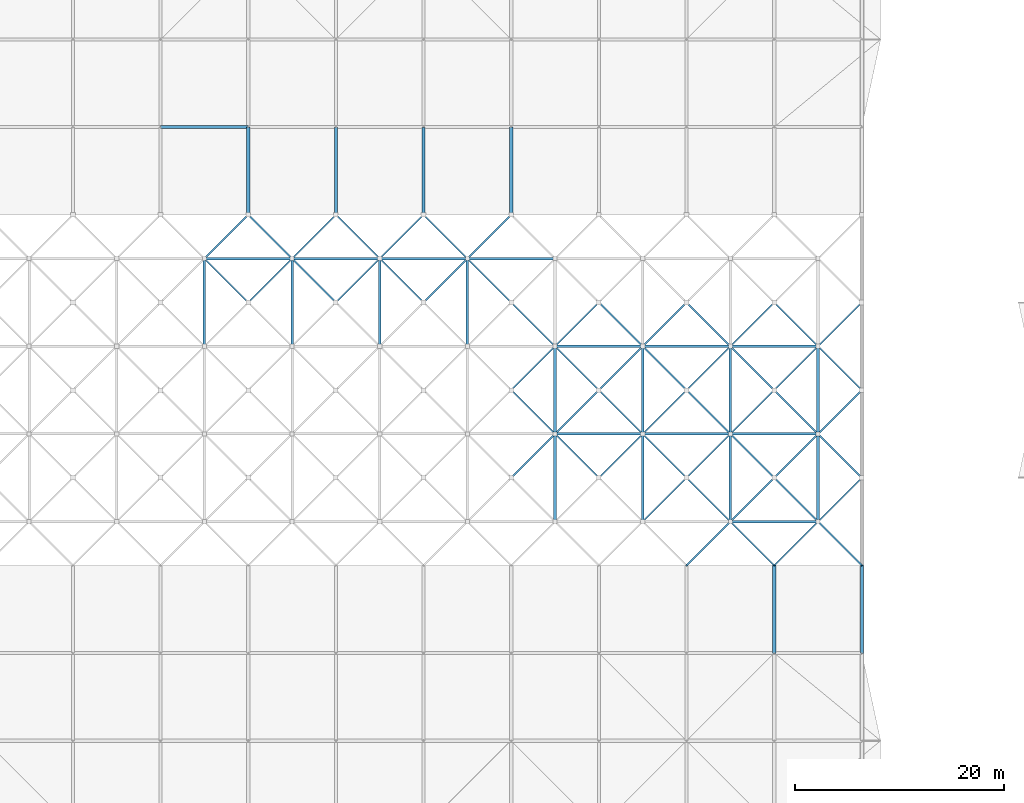
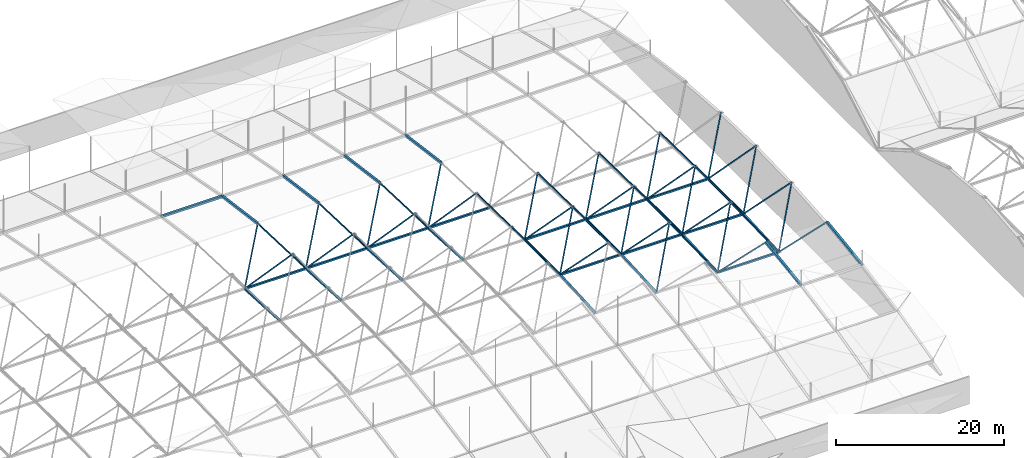
# One storey, part 8 of 111: 85 members.
"""IFC4 building model written with IfcOpenShell, lengths in metres."""

from ifc_helpers import new_model, si_unit, direction, frame, origin, origin_2d, place, context, subcontext, project, spatial, hollow_rectangle, extrude, material, material_profile, profile_set, type_object, element, save


model = new_model("IFC4")

# Units and contexts
model_context = context("Model", 3, precision=1e-05, world=origin(), true_north=direction((0.0, 1.0)))
body_context = subcontext(model_context, "Body", "Model", "MODEL_VIEW")
ifc_project = project(units=[si_unit("LENGTHUNIT", "METRE"), si_unit("AREAUNIT", "SQUARE_METRE"), si_unit("VOLUMEUNIT", "CUBIC_METRE"), si_unit("PLANEANGLEUNIT", "RADIAN"), si_unit("MASSUNIT", "GRAM", prefix="KILO")], contexts=[model_context])

# Site, building, storey
site_placement = place(None, origin())
site = spatial("IfcSite", under=ifc_project, at=site_placement, CompositionType="ELEMENT")
building_placement = place(site_placement, origin())
building = spatial("IfcBuilding", under=site, at=building_placement, Name="Rain Tree Exposition and Congress Centre", CompositionType="ELEMENT")
storey_placement = place(building_placement, frame((0.0, 0.0, 19.5)))
storey = spatial("IfcBuildingStorey", under=building, at=storey_placement, Name="RF", CompositionType="ELEMENT", Elevation=19.5)

# Members
ifc_material_1 = material(Name="Steel S355J2H", Category="steel")
ifc_material_profile_1 = material_profile(ifc_material_1, hollow_rectangle(XDim=0.14990234375, YDim=0.14990234375, WallThickness=0.00439453125, at=origin_2d()), Name="RHS 150x150x4.5")
ifc_profile_set_1 = profile_set([ifc_material_profile_1], Name="Steel S355J2H")
member_type_1 = type_object("IfcMemberType", Name="Steel brace member RHS 150x150x4.5", PredefinedType="BRACE", material=ifc_profile_set_1)
member_1_placement = place(storey_placement, frame((105.0, 138.60009765625, 0.38818359375), z_axis=(0.491865231884, 0.491865231884, 0.718426883773), x_axis=(-0.707106781187, 0.707106781187, 0.0)))
element("IfcMember", 1, at=member_1_placement, inside=storey, type_object=member_type_1, Name="Diagonal 764", PredefinedType="BRACE", context=body_context, shape_type="SweptSolid", body=[
    extrude(hollow_rectangle(XDim=0.14990234375, YDim=0.14990234375, WallThickness=0.00439453125, at=origin_2d()), origin(), (0.0, 0.0, 1.0), 8.538818359375),
])
member_2_placement = place(storey_placement, frame((113.39990234375, 138.60009765625, 0.38818359375), z_axis=(-0.520964500452, -0.520994783804, 0.676136394907), x_axis=(0.707127332136, -0.70708622964, 0.0)))
element("IfcMember", 2, at=member_2_placement, inside=storey, type_object=member_type_1, Name="Diagonal 767", PredefinedType="BRACE", context=body_context, shape_type="SweptSolid", body=[
    extrude(hollow_rectangle(XDim=0.14990234375, YDim=0.14990234375, WallThickness=0.00439453125, at=origin_2d()), origin(), (0.0, 0.0, 1.0), 8.061767578125),
])
member_3_placement = place(storey_placement, frame((113.39990234375, 138.60009765625, 0.38818359375), z_axis=(0.520986564258, -0.520986564258, 0.676125727749), x_axis=(0.707106781187, 0.707106781187, 0.0)))
element("IfcMember", 3, at=member_3_placement, inside=storey, type_object=member_type_1, Name="Diagonal 768", PredefinedType="BRACE", context=body_context, shape_type="SweptSolid", body=[
    extrude(hollow_rectangle(XDim=0.14990234375, YDim=0.14990234375, WallThickness=0.00439453125, at=origin_2d()), origin(), (0.0, 0.0, 1.0), 8.06201171875),
])
member_4_placement = place(storey_placement, frame((113.39990234375, 138.60009765625, 0.38818359375), z_axis=(-0.491865231884, 0.491865231884, 0.718426883773), x_axis=(-0.707106781187, -0.707106781187, 0.0)))
element("IfcMember", 4, at=member_4_placement, inside=storey, type_object=member_type_1, Name="Diagonal 769", PredefinedType="BRACE", context=body_context, shape_type="SweptSolid", body=[
    extrude(hollow_rectangle(XDim=0.14990234375, YDim=0.14990234375, WallThickness=0.00439453125, at=origin_2d()), origin(), (0.0, 0.0, 1.0), 8.538818359375),
])
member_5_placement = place(storey_placement, frame((113.39990234375, 138.60009765625, 0.38818359375), z_axis=(0.491886905994, 0.491858314567, 0.718416780221), x_axis=(-0.70708622964, 0.707127332136, 0.0)))
element("IfcMember", 5, at=member_5_placement, inside=storey, type_object=member_type_1, Name="Diagonal 770", PredefinedType="BRACE", context=body_context, shape_type="SweptSolid", body=[
    extrude(hollow_rectangle(XDim=0.14990234375, YDim=0.14990234375, WallThickness=0.00439453125, at=origin_2d()), origin(), (0.0, 0.0, 1.0), 8.5390625),
])
for number, where, z_axis, x_axis, name in (
    (6, (121.800048828125, 138.60009765625, 0.38818359375), (-0.520964500452, -0.520994783804, 0.676136394907), (0.707127332136, -0.70708622964, 0.0), "Diagonal 773"),
    (7, (121.800048828125, 138.60009765625, 0.38818359375), (0.520964500452, -0.520994783804, 0.676136394907), (0.707127332136, 0.70708622964, 0.0), "Diagonal 774"),
):
    element("IfcMember", number, at=place(storey_placement, frame(where, z_axis=z_axis, x_axis=x_axis)), inside=storey, type_object=member_type_1, Name=name, PredefinedType="BRACE", context=body_context, shape_type="SweptSolid", body=[
        extrude(hollow_rectangle(XDim=0.14990234375, YDim=0.14990234375, WallThickness=0.00439453125, at=origin_2d()), origin(), (0.0, 0.0, 1.0), 8.061767578125),
    ])
for number, where, z_axis, x_axis, name in (
    (8, (121.800048828125, 138.60009765625, 0.38818359375), (-0.491865231884, 0.491865231884, 0.718426883773), (-0.707106781187, -0.707106781187, 0.0), "Diagonal 775"),
    (9, (121.800048828125, 138.60009765625, 0.38818359375), (0.491865231884, 0.491865231884, 0.718426883773), (-0.707106781187, 0.707106781187, 0.0), "Diagonal 776"),
):
    element("IfcMember", number, at=place(storey_placement, frame(where, z_axis=z_axis, x_axis=x_axis)), inside=storey, type_object=member_type_1, Name=name, PredefinedType="BRACE", context=body_context, shape_type="SweptSolid", body=[
        extrude(hollow_rectangle(XDim=0.14990234375, YDim=0.14990234375, WallThickness=0.00439453125, at=origin_2d()), origin(), (0.0, 0.0, 1.0), 8.538818359375),
    ])
for number, where, z_axis, x_axis, name in (
    (10, (96.60009765625, 147.0, 0.84326171875), (-0.511090272234, -0.511060564592, 0.691088874854), (0.70708622964, -0.707127332136, 0.0), "Diagonal 838"),
    (11, (96.60009765625, 147.0, 0.84326171875), (0.511068324122, -0.511068324122, 0.691099367788), (0.707106781187, 0.707106781187, 0.0), "Diagonal 839"),
):
    element("IfcMember", number, at=place(storey_placement, frame(where, z_axis=z_axis, x_axis=x_axis)), inside=storey, type_object=member_type_1, Name=name, PredefinedType="BRACE", context=body_context, shape_type="SweptSolid", body=[
        extrude(hollow_rectangle(XDim=0.14990234375, YDim=0.14990234375, WallThickness=0.00439453125, at=origin_2d()), origin(), (0.0, 0.0, 1.0), 8.218017578125),
    ])
for number, where, z_axis, x_axis, name in (
    (12, (96.60009765625, 147.0, 0.84326171875), (-0.50140805933, 0.501378914477, 0.70513058518), (-0.70708622964, -0.707127332136, 0.0), "Diagonal 840"),
    (13, (96.60009765625, 147.0, 0.84326171875), (0.501386241307, 0.501386241307, 0.705140889507), (-0.707106781187, 0.707106781187, 0.0), "Diagonal 841"),
):
    element("IfcMember", number, at=place(storey_placement, frame(where, z_axis=z_axis, x_axis=x_axis)), inside=storey, type_object=member_type_1, Name=name, PredefinedType="BRACE", context=body_context, shape_type="SweptSolid", body=[
        extrude(hollow_rectangle(XDim=0.14990234375, YDim=0.14990234375, WallThickness=0.00439453125, at=origin_2d()), origin(), (0.0, 0.0, 1.0), 8.376708984375),
    ])
for number, where, z_axis, x_axis, name in (
    (14, (105.0, 147.0, 0.84326171875), (-0.511068324122, -0.511068324122, 0.691099367788), (0.707106781187, -0.707106781187, 0.0), "Diagonal 844"),
    (15, (105.0, 147.0, 0.84326171875), (0.511068324122, -0.511068324122, 0.691099367788), (0.707106781187, 0.707106781187, 0.0), "Diagonal 845"),
):
    element("IfcMember", number, at=place(storey_placement, frame(where, z_axis=z_axis, x_axis=x_axis)), inside=storey, type_object=member_type_1, Name=name, PredefinedType="BRACE", context=body_context, shape_type="SweptSolid", body=[
        extrude(hollow_rectangle(XDim=0.14990234375, YDim=0.14990234375, WallThickness=0.00439453125, at=origin_2d()), origin(), (0.0, 0.0, 1.0), 8.218017578125),
    ])
for number, where, z_axis, x_axis, name in (
    (16, (105.0, 147.0, 0.84326171875), (-0.501386241307, 0.501386241307, 0.705140889507), (-0.707106781187, -0.707106781187, 0.0), "Diagonal 846"),
    (17, (105.0, 147.0, 0.84326171875), (0.501386241307, 0.501386241307, 0.705140889507), (-0.707106781187, 0.707106781187, 0.0), "Diagonal 847"),
):
    element("IfcMember", number, at=place(storey_placement, frame(where, z_axis=z_axis, x_axis=x_axis)), inside=storey, type_object=member_type_1, Name=name, PredefinedType="BRACE", context=body_context, shape_type="SweptSolid", body=[
        extrude(hollow_rectangle(XDim=0.14990234375, YDim=0.14990234375, WallThickness=0.00439453125, at=origin_2d()), origin(), (0.0, 0.0, 1.0), 8.376708984375),
    ])
for number, where, z_axis, x_axis, name in (
    (18, (113.39990234375, 147.0, 0.84326171875), (-0.511068324122, -0.511068324122, 0.691099367788), (0.707106781187, -0.707106781187, 0.0), "Diagonal 850"),
    (19, (113.39990234375, 147.0, 0.84326171875), (0.511090272234, -0.511060564592, 0.691088874854), (0.70708622964, 0.707127332136, 0.0), "Diagonal 851"),
):
    element("IfcMember", number, at=place(storey_placement, frame(where, z_axis=z_axis, x_axis=x_axis)), inside=storey, type_object=member_type_1, Name=name, PredefinedType="BRACE", context=body_context, shape_type="SweptSolid", body=[
        extrude(hollow_rectangle(XDim=0.14990234375, YDim=0.14990234375, WallThickness=0.00439453125, at=origin_2d()), origin(), (0.0, 0.0, 1.0), 8.218017578125),
    ])
for number, where, z_axis, x_axis, name in (
    (20, (113.39990234375, 147.0, 0.84326171875), (-0.501386241307, 0.501386241307, 0.705140889507), (-0.707106781187, -0.707106781187, 0.0), "Diagonal 852"),
    (21, (113.39990234375, 147.0, 0.84326171875), (0.50140805933, 0.501378914477, 0.70513058518), (-0.70708622964, 0.707127332136, 0.0), "Diagonal 853"),
):
    element("IfcMember", number, at=place(storey_placement, frame(where, z_axis=z_axis, x_axis=x_axis)), inside=storey, type_object=member_type_1, Name=name, PredefinedType="BRACE", context=body_context, shape_type="SweptSolid", body=[
        extrude(hollow_rectangle(XDim=0.14990234375, YDim=0.14990234375, WallThickness=0.00439453125, at=origin_2d()), origin(), (0.0, 0.0, 1.0), 8.376708984375),
    ])
for number, where, z_axis, x_axis, name in (
    (22, (121.800048828125, 147.0, 0.84326171875), (-0.511068324122, -0.511068324122, 0.691099367788), (0.707106781187, -0.707106781187, 0.0), "Diagonal 856"),
    (23, (121.800048828125, 147.0, 0.84326171875), (0.511068324122, -0.511068324122, 0.691099367788), (0.707106781187, 0.707106781187, 0.0), "Diagonal 857"),
):
    element("IfcMember", number, at=place(storey_placement, frame(where, z_axis=z_axis, x_axis=x_axis)), inside=storey, type_object=member_type_1, Name=name, PredefinedType="BRACE", context=body_context, shape_type="SweptSolid", body=[
        extrude(hollow_rectangle(XDim=0.14990234375, YDim=0.14990234375, WallThickness=0.00439453125, at=origin_2d()), origin(), (0.0, 0.0, 1.0), 8.218017578125),
    ])
for number, where, z_axis, x_axis, name in (
    (24, (121.800048828125, 147.0, 0.84326171875), (-0.501386241307, 0.501386241307, 0.705140889507), (-0.707106781187, -0.707106781187, 0.0), "Diagonal 858"),
    (25, (121.800048828125, 147.0, 0.84326171875), (0.501386241307, 0.501386241307, 0.705140889507), (-0.707106781187, 0.707106781187, 0.0), "Diagonal 859"),
    (26, (96.60009765625, 155.39990234375, 0.84326171875), (-0.50140805933, -0.501378914477, 0.70513058518), (0.70708622964, -0.707127332136, 0.0), "Diagonal 921"),
    (27, (96.60009765625, 155.39990234375, 0.84326171875), (0.501386241307, -0.501386241307, 0.705140889507), (0.707106781187, 0.707106781187, 0.0), "Diagonal 922"),
):
    element("IfcMember", number, at=place(storey_placement, frame(where, z_axis=z_axis, x_axis=x_axis)), inside=storey, type_object=member_type_1, Name=name, PredefinedType="BRACE", context=body_context, shape_type="SweptSolid", body=[
        extrude(hollow_rectangle(XDim=0.14990234375, YDim=0.14990234375, WallThickness=0.00439453125, at=origin_2d()), origin(), (0.0, 0.0, 1.0), 8.376708984375),
    ])
member_6_placement = place(storey_placement, frame((96.60009765625, 155.39990234375, 0.84326171875), z_axis=(-0.511082512606, 0.511082512606, 0.691078382397), x_axis=(-0.707106781187, -0.707106781187, 0.0)))
element("IfcMember", 28, at=member_6_placement, inside=storey, type_object=member_type_1, Name="Diagonal 923", PredefinedType="BRACE", context=body_context, shape_type="SweptSolid", body=[
    extrude(hollow_rectangle(XDim=0.14990234375, YDim=0.14990234375, WallThickness=0.00439453125, at=origin_2d()), origin(), (0.0, 0.0, 1.0), 8.21826171875),
])
member_7_placement = place(storey_placement, frame((96.60009765625, 155.39990234375, 0.84326171875), z_axis=(0.511060564592, 0.511090272234, 0.691088874854), x_axis=(-0.707127332136, 0.70708622964, 0.0)))
element("IfcMember", 29, at=member_7_placement, inside=storey, type_object=member_type_1, Name="Diagonal 924", PredefinedType="BRACE", context=body_context, shape_type="SweptSolid", body=[
    extrude(hollow_rectangle(XDim=0.14990234375, YDim=0.14990234375, WallThickness=0.00439453125, at=origin_2d()), origin(), (0.0, 0.0, 1.0), 8.218017578125),
])
for number, where, z_axis, x_axis, name in (
    (30, (105.0, 155.39990234375, 0.84326171875), (-0.501386241307, -0.501386241307, 0.705140889507), (0.707106781187, -0.707106781187, 0.0), "Diagonal 927"),
    (31, (105.0, 155.39990234375, 0.84326171875), (0.501386241307, -0.501386241307, 0.705140889507), (0.707106781187, 0.707106781187, 0.0), "Diagonal 928"),
):
    element("IfcMember", number, at=place(storey_placement, frame(where, z_axis=z_axis, x_axis=x_axis)), inside=storey, type_object=member_type_1, Name=name, PredefinedType="BRACE", context=body_context, shape_type="SweptSolid", body=[
        extrude(hollow_rectangle(XDim=0.14990234375, YDim=0.14990234375, WallThickness=0.00439453125, at=origin_2d()), origin(), (0.0, 0.0, 1.0), 8.376708984375),
    ])
for number, where, z_axis, x_axis, name in (
    (32, (105.0, 155.39990234375, 0.84326171875), (-0.511060564592, 0.511090272234, 0.691088874854), (-0.707127332136, -0.70708622964, 0.0), "Diagonal 929"),
    (33, (105.0, 155.39990234375, 0.84326171875), (0.511060564592, 0.511090272234, 0.691088874854), (-0.707127332136, 0.70708622964, 0.0), "Diagonal 930"),
):
    element("IfcMember", number, at=place(storey_placement, frame(where, z_axis=z_axis, x_axis=x_axis)), inside=storey, type_object=member_type_1, Name=name, PredefinedType="BRACE", context=body_context, shape_type="SweptSolid", body=[
        extrude(hollow_rectangle(XDim=0.14990234375, YDim=0.14990234375, WallThickness=0.00439453125, at=origin_2d()), origin(), (0.0, 0.0, 1.0), 8.218017578125),
    ])
for number, where, z_axis, x_axis, name in (
    (34, (113.39990234375, 155.39990234375, 0.84326171875), (-0.501386241307, -0.501386241307, 0.705140889507), (0.707106781187, -0.707106781187, 0.0), "Diagonal 933"),
    (35, (113.39990234375, 155.39990234375, 0.84326171875), (0.50140805933, -0.501378914477, 0.70513058518), (0.70708622964, 0.707127332136, 0.0), "Diagonal 934"),
):
    element("IfcMember", number, at=place(storey_placement, frame(where, z_axis=z_axis, x_axis=x_axis)), inside=storey, type_object=member_type_1, Name=name, PredefinedType="BRACE", context=body_context, shape_type="SweptSolid", body=[
        extrude(hollow_rectangle(XDim=0.14990234375, YDim=0.14990234375, WallThickness=0.00439453125, at=origin_2d()), origin(), (0.0, 0.0, 1.0), 8.376708984375),
    ])
member_8_placement = place(storey_placement, frame((113.39990234375, 155.39990234375, 0.84326171875), z_axis=(-0.511060564592, 0.511090272234, 0.691088874854), x_axis=(-0.707127332136, -0.70708622964, 0.0)))
element("IfcMember", 36, at=member_8_placement, inside=storey, type_object=member_type_1, Name="Diagonal 935", PredefinedType="BRACE", context=body_context, shape_type="SweptSolid", body=[
    extrude(hollow_rectangle(XDim=0.14990234375, YDim=0.14990234375, WallThickness=0.00439453125, at=origin_2d()), origin(), (0.0, 0.0, 1.0), 8.218017578125),
])
member_9_placement = place(storey_placement, frame((113.39990234375, 155.39990234375, 0.84326171875), z_axis=(0.511082512606, 0.511082512606, 0.691078382397), x_axis=(-0.707106781187, 0.707106781187, 0.0)))
element("IfcMember", 37, at=member_9_placement, inside=storey, type_object=member_type_1, Name="Diagonal 936", PredefinedType="BRACE", context=body_context, shape_type="SweptSolid", body=[
    extrude(hollow_rectangle(XDim=0.14990234375, YDim=0.14990234375, WallThickness=0.00439453125, at=origin_2d()), origin(), (0.0, 0.0, 1.0), 8.21826171875),
])
for number, where, z_axis, x_axis, name in (
    (38, (121.800048828125, 155.39990234375, 0.84326171875), (-0.501386241307, -0.501386241307, 0.705140889507), (0.707106781187, -0.707106781187, 0.0), "Diagonal 939"),
    (39, (121.800048828125, 155.39990234375, 0.84326171875), (0.501386241307, -0.501386241307, 0.705140889507), (0.707106781187, 0.707106781187, 0.0), "Diagonal 940"),
):
    element("IfcMember", number, at=place(storey_placement, frame(where, z_axis=z_axis, x_axis=x_axis)), inside=storey, type_object=member_type_1, Name=name, PredefinedType="BRACE", context=body_context, shape_type="SweptSolid", body=[
        extrude(hollow_rectangle(XDim=0.14990234375, YDim=0.14990234375, WallThickness=0.00439453125, at=origin_2d()), origin(), (0.0, 0.0, 1.0), 8.376708984375),
    ])
for number, where, z_axis, x_axis, name in (
    (40, (121.800048828125, 155.39990234375, 0.84326171875), (-0.511060564592, 0.511090272234, 0.691088874854), (-0.707127332136, -0.70708622964, 0.0), "Diagonal 941"),
    (41, (121.800048828125, 155.39990234375, 0.84326171875), (0.511060564592, 0.511090272234, 0.691088874854), (-0.707127332136, 0.70708622964, 0.0), "Diagonal 942"),
):
    element("IfcMember", number, at=place(storey_placement, frame(where, z_axis=z_axis, x_axis=x_axis)), inside=storey, type_object=member_type_1, Name=name, PredefinedType="BRACE", context=body_context, shape_type="SweptSolid", body=[
        extrude(hollow_rectangle(XDim=0.14990234375, YDim=0.14990234375, WallThickness=0.00439453125, at=origin_2d()), origin(), (0.0, 0.0, 1.0), 8.218017578125),
    ])
member_10_placement = place(storey_placement, frame((63.0, 163.800048828125, 0.38818359375), z_axis=(0.491865231884, -0.491865231884, 0.718426883773), x_axis=(0.707106781187, 0.707106781187, 0.0)))
element("IfcMember", 42, at=member_10_placement, inside=storey, type_object=member_type_1, Name="Diagonal 981", PredefinedType="BRACE", context=body_context, shape_type="SweptSolid", body=[
    extrude(hollow_rectangle(XDim=0.14990234375, YDim=0.14990234375, WallThickness=0.00439453125, at=origin_2d()), origin(), (0.0, 0.0, 1.0), 8.538818359375),
])
member_11_placement = place(storey_placement, frame((63.0, 163.800048828125, 0.38818359375), z_axis=(0.520972719908, 0.520972719908, 0.67614706257), x_axis=(-0.707106781187, 0.707106781187, 0.0)))
element("IfcMember", 43, at=member_11_placement, inside=storey, type_object=member_type_1, Name="Diagonal 983", PredefinedType="BRACE", context=body_context, shape_type="SweptSolid", body=[
    extrude(hollow_rectangle(XDim=0.14990234375, YDim=0.14990234375, WallThickness=0.00439453125, at=origin_2d()), origin(), (0.0, 0.0, 1.0), 8.061767578125),
])
member_12_placement = place(storey_placement, frame((71.39990234375, 163.800048828125, 0.38818359375), z_axis=(-0.491865231884, -0.491865231884, 0.718426883773), x_axis=(0.707106781187, -0.707106781187, 0.0)))
element("IfcMember", 44, at=member_12_placement, inside=storey, type_object=member_type_1, Name="Diagonal 986", PredefinedType="BRACE", context=body_context, shape_type="SweptSolid", body=[
    extrude(hollow_rectangle(XDim=0.14990234375, YDim=0.14990234375, WallThickness=0.00439453125, at=origin_2d()), origin(), (0.0, 0.0, 1.0), 8.538818359375),
])
member_13_placement = place(storey_placement, frame((71.39990234375, 163.800048828125, 0.38818359375), z_axis=(0.491886905994, -0.491858314567, 0.718416780221), x_axis=(0.70708622964, 0.707127332136, 0.0)))
element("IfcMember", 45, at=member_13_placement, inside=storey, type_object=member_type_1, Name="Diagonal 987", PredefinedType="BRACE", context=body_context, shape_type="SweptSolid", body=[
    extrude(hollow_rectangle(XDim=0.14990234375, YDim=0.14990234375, WallThickness=0.00439453125, at=origin_2d()), origin(), (0.0, 0.0, 1.0), 8.5390625),
])
for number, where, z_axis, x_axis, name in (
    (46, (71.39990234375, 163.800048828125, 0.38818359375), (-0.520972719908, 0.520972719908, 0.67614706257), (-0.707106781187, -0.707106781187, 0.0), "Diagonal 988"),
    (47, (71.39990234375, 163.800048828125, 0.38818359375), (0.520994783804, 0.520964500452, 0.676136394907), (-0.70708622964, 0.707127332136, 0.0), "Diagonal 989"),
):
    element("IfcMember", number, at=place(storey_placement, frame(where, z_axis=z_axis, x_axis=x_axis)), inside=storey, type_object=member_type_1, Name=name, PredefinedType="BRACE", context=body_context, shape_type="SweptSolid", body=[
        extrude(hollow_rectangle(XDim=0.14990234375, YDim=0.14990234375, WallThickness=0.00439453125, at=origin_2d()), origin(), (0.0, 0.0, 1.0), 8.061767578125),
    ])
for number, where, z_axis, x_axis, name in (
    (48, (79.800048828125, 163.800048828125, 0.38818359375), (-0.491865231884, -0.491865231884, 0.718426883773), (0.707106781187, -0.707106781187, 0.0), "Diagonal 992"),
    (49, (79.800048828125, 163.800048828125, 0.38818359375), (0.491865231884, -0.491865231884, 0.718426883773), (0.707106781187, 0.707106781187, 0.0), "Diagonal 993"),
):
    element("IfcMember", number, at=place(storey_placement, frame(where, z_axis=z_axis, x_axis=x_axis)), inside=storey, type_object=member_type_1, Name=name, PredefinedType="BRACE", context=body_context, shape_type="SweptSolid", body=[
        extrude(hollow_rectangle(XDim=0.14990234375, YDim=0.14990234375, WallThickness=0.00439453125, at=origin_2d()), origin(), (0.0, 0.0, 1.0), 8.538818359375),
    ])
for number, where, z_axis, x_axis, name in (
    (50, (79.800048828125, 163.800048828125, 0.38818359375), (-0.520972719908, 0.520972719908, 0.67614706257), (-0.707106781187, -0.707106781187, 0.0), "Diagonal 994"),
    (51, (79.800048828125, 163.800048828125, 0.38818359375), (0.520972719908, 0.520972719908, 0.67614706257), (-0.707106781187, 0.707106781187, 0.0), "Diagonal 995"),
):
    element("IfcMember", number, at=place(storey_placement, frame(where, z_axis=z_axis, x_axis=x_axis)), inside=storey, type_object=member_type_1, Name=name, PredefinedType="BRACE", context=body_context, shape_type="SweptSolid", body=[
        extrude(hollow_rectangle(XDim=0.14990234375, YDim=0.14990234375, WallThickness=0.00439453125, at=origin_2d()), origin(), (0.0, 0.0, 1.0), 8.061767578125),
    ])
for number, where, z_axis, x_axis, name in (
    (52, (88.199951171875, 163.800048828125, 0.38818359375), (-0.491865231884, -0.491865231884, 0.718426883773), (0.707106781187, -0.707106781187, 0.0), "Diagonal 998"),
    (53, (88.199951171875, 163.800048828125, 0.38818359375), (0.491865231884, -0.491865231884, 0.718426883773), (0.707106781187, 0.707106781187, 0.0), "Diagonal 999"),
):
    element("IfcMember", number, at=place(storey_placement, frame(where, z_axis=z_axis, x_axis=x_axis)), inside=storey, type_object=member_type_1, Name=name, PredefinedType="BRACE", context=body_context, shape_type="SweptSolid", body=[
        extrude(hollow_rectangle(XDim=0.14990234375, YDim=0.14990234375, WallThickness=0.00439453125, at=origin_2d()), origin(), (0.0, 0.0, 1.0), 8.538818359375),
    ])
for number, where, z_axis, x_axis, name in (
    (54, (88.199951171875, 163.800048828125, 0.38818359375), (-0.520972719908, 0.520972719908, 0.67614706257), (-0.707106781187, -0.707106781187, 0.0), "Diagonal 1000"),
    (55, (88.199951171875, 163.800048828125, 0.38818359375), (0.520972719908, 0.520972719908, 0.67614706257), (-0.707106781187, 0.707106781187, 0.0), "Diagonal 1001"),
):
    element("IfcMember", number, at=place(storey_placement, frame(where, z_axis=z_axis, x_axis=x_axis)), inside=storey, type_object=member_type_1, Name=name, PredefinedType="BRACE", context=body_context, shape_type="SweptSolid", body=[
        extrude(hollow_rectangle(XDim=0.14990234375, YDim=0.14990234375, WallThickness=0.00439453125, at=origin_2d()), origin(), (0.0, 0.0, 1.0), 8.061767578125),
    ])
ifc_material_2 = material(Name="Steel S355J2H", Category="steel")
ifc_material_profile_2 = material_profile(ifc_material_2, hollow_rectangle(XDim=0.25, YDim=0.25, WallThickness=0.006103515625, at=origin_2d()), Name="RHS 250x250x6")
ifc_profile_set_2 = profile_set([ifc_material_profile_2], Name="Steel S355J2H")
member_type_2 = type_object("IfcMemberType", Name="Steel chord member RHS 250x250x6", PredefinedType="CHORD", material=ifc_profile_set_2)
for number, where, z_axis, x_axis, name in (
    (56, (96.60009765625, 138.60009765625, 0.38818359375), (0.0, 0.998535670844, 0.054097264734), (-1.0, 0.0, 0.0), "Bottom chord 760"),
    (57, (105.0, 138.60009765625, 0.38818359375), (0.0, 0.998535670844, 0.054097264734), (-1.0, 0.0, 0.0), "Bottom chord 766"),
):
    element("IfcMember", number, at=place(storey_placement, frame(where, z_axis=z_axis, x_axis=x_axis)), inside=storey, type_object=member_type_2, Name=name, PredefinedType="CHORD", context=body_context, shape_type="SweptSolid", body=[
        extrude(hollow_rectangle(XDim=0.25, YDim=0.25, WallThickness=0.006103515625, at=origin_2d()), origin(), (0.0, 0.0, 1.0), 8.412109375),
    ])
member_14_placement = place(storey_placement, frame((113.39990234375, 138.60009765625, 0.38818359375), z_axis=(1.0, 0.0, 0.0), x_axis=(0.0, 1.0, 0.0)))
element("IfcMember", 58, at=member_14_placement, inside=storey, type_object=member_type_2, Name="Bottom chord 771", PredefinedType="CHORD", context=body_context, shape_type="SweptSolid", body=[
    extrude(hollow_rectangle(XDim=0.25, YDim=0.25, WallThickness=0.006103515625, at=origin_2d()), origin(), (0.0, 0.0, 1.0), 8.400146484375),
])
for number, where, z_axis, x_axis, name in (
    (59, (113.39990234375, 138.60009765625, 0.38818359375), (0.0, 0.998535670844, 0.054097264734), (-1.0, 0.0, 0.0), "Bottom chord 772"),
    (60, (121.800048828125, 138.60009765625, 0.38818359375), (0.0, 0.998535670844, 0.054097264734), (-1.0, 0.0, 0.0), "Bottom chord 777"),
):
    element("IfcMember", number, at=place(storey_placement, frame(where, z_axis=z_axis, x_axis=x_axis)), inside=storey, type_object=member_type_2, Name=name, PredefinedType="CHORD", context=body_context, shape_type="SweptSolid", body=[
        extrude(hollow_rectangle(XDim=0.25, YDim=0.25, WallThickness=0.006103515625, at=origin_2d()), origin(), (0.0, 0.0, 1.0), 8.412109375),
    ])
for number, where, z_axis, x_axis, name in (
    (61, (96.60009765625, 147.0, 0.84326171875), (1.0, 0.0, 0.0), (0.0, 1.0, 0.0), "Bottom chord 842"),
    (62, (96.60009765625, 147.0, 0.84326171875), (0.0, 1.0, 0.0), (-1.0, 0.0, 0.0), "Bottom chord 843"),
    (63, (105.0, 147.0, 0.84326171875), (1.0, 0.0, 0.0), (0.0, 1.0, 0.0), "Bottom chord 848"),
    (64, (105.0, 147.0, 0.84326171875), (0.0, 1.0, 0.0), (-1.0, 0.0, 0.0), "Bottom chord 849"),
):
    element("IfcMember", number, at=place(storey_placement, frame(where, z_axis=z_axis, x_axis=x_axis)), inside=storey, type_object=member_type_2, Name=name, PredefinedType="CHORD", context=body_context, shape_type="SweptSolid", body=[
        extrude(hollow_rectangle(XDim=0.25, YDim=0.25, WallThickness=0.006103515625, at=origin_2d()), origin(), (0.0, 0.0, 1.0), 8.39990234375),
    ])
member_15_placement = place(storey_placement, frame((113.39990234375, 147.0, 0.84326171875), z_axis=(1.0, 0.0, 0.0), x_axis=(0.0, 1.0, 0.0)))
element("IfcMember", 65, at=member_15_placement, inside=storey, type_object=member_type_2, Name="Bottom chord 854", PredefinedType="CHORD", context=body_context, shape_type="SweptSolid", body=[
    extrude(hollow_rectangle(XDim=0.25, YDim=0.25, WallThickness=0.006103515625, at=origin_2d()), origin(), (0.0, 0.0, 1.0), 8.400146484375),
])
for number, where, z_axis, x_axis, name in (
    (66, (113.39990234375, 147.0, 0.84326171875), (0.0, 1.0, 0.0), (-1.0, 0.0, 0.0), "Bottom chord 855"),
    (67, (121.800048828125, 147.0, 0.84326171875), (0.0, 1.0, 0.0), (-1.0, 0.0, 0.0), "Bottom chord 860"),
):
    element("IfcMember", number, at=place(storey_placement, frame(where, z_axis=z_axis, x_axis=x_axis)), inside=storey, type_object=member_type_2, Name=name, PredefinedType="CHORD", context=body_context, shape_type="SweptSolid", body=[
        extrude(hollow_rectangle(XDim=0.25, YDim=0.25, WallThickness=0.006103515625, at=origin_2d()), origin(), (0.0, 0.0, 1.0), 8.39990234375),
    ])
for number, where, z_axis, x_axis, name in (
    (68, (63.0, 155.39990234375, 0.84326171875), (0.0, 0.998535755774, -0.054095697061), (-1.0, 0.0, 0.0), "Bottom chord 902"),
    (69, (71.39990234375, 155.39990234375, 0.84326171875), (0.0, 0.998535755774, -0.054095697061), (-1.0, 0.0, 0.0), "Bottom chord 908"),
    (70, (79.800048828125, 155.39990234375, 0.84326171875), (0.0, 0.998535755774, -0.054095697061), (-1.0, 0.0, 0.0), "Bottom chord 914"),
    (71, (88.199951171875, 155.39990234375, 0.84326171875), (0.0, 0.998535755774, -0.054095697061), (-1.0, 0.0, 0.0), "Bottom chord 920"),
):
    element("IfcMember", number, at=place(storey_placement, frame(where, z_axis=z_axis, x_axis=x_axis)), inside=storey, type_object=member_type_2, Name=name, PredefinedType="CHORD", context=body_context, shape_type="SweptSolid", body=[
        extrude(hollow_rectangle(XDim=0.25, YDim=0.25, WallThickness=0.006103515625, at=origin_2d()), origin(), (0.0, 0.0, 1.0), 8.412353515625),
    ])
for number, where, z_axis, x_axis, name in (
    (72, (96.60009765625, 155.39990234375, 0.84326171875), (1.0, 0.0, 0.0), (0.0, 1.0, 0.0), "Bottom chord 925"),
    (73, (105.0, 155.39990234375, 0.84326171875), (1.0, 0.0, 0.0), (0.0, 1.0, 0.0), "Bottom chord 931"),
):
    element("IfcMember", number, at=place(storey_placement, frame(where, z_axis=z_axis, x_axis=x_axis)), inside=storey, type_object=member_type_2, Name=name, PredefinedType="CHORD", context=body_context, shape_type="SweptSolid", body=[
        extrude(hollow_rectangle(XDim=0.25, YDim=0.25, WallThickness=0.006103515625, at=origin_2d()), origin(), (0.0, 0.0, 1.0), 8.39990234375),
    ])
member_16_placement = place(storey_placement, frame((113.39990234375, 155.39990234375, 0.84326171875), z_axis=(1.0, 0.0, 0.0), x_axis=(0.0, 1.0, 0.0)))
element("IfcMember", 74, at=member_16_placement, inside=storey, type_object=member_type_2, Name="Bottom chord 937", PredefinedType="CHORD", context=body_context, shape_type="SweptSolid", body=[
    extrude(hollow_rectangle(XDim=0.25, YDim=0.25, WallThickness=0.006103515625, at=origin_2d()), origin(), (0.0, 0.0, 1.0), 8.400146484375),
])
member_17_placement = place(storey_placement, frame((63.0, 163.800048828125, 0.38818359375), z_axis=(1.0, 0.0, 0.0), x_axis=(0.0, 1.0, 0.0)))
element("IfcMember", 75, at=member_17_placement, inside=storey, type_object=member_type_2, Name="Bottom chord 984", PredefinedType="CHORD", context=body_context, shape_type="SweptSolid", body=[
    extrude(hollow_rectangle(XDim=0.25, YDim=0.25, WallThickness=0.006103515625, at=origin_2d()), origin(), (0.0, 0.0, 1.0), 8.39990234375),
])
member_18_placement = place(storey_placement, frame((71.39990234375, 163.800048828125, 0.38818359375), z_axis=(1.0, 0.0, 0.0), x_axis=(0.0, 1.0, 0.0)))
element("IfcMember", 76, at=member_18_placement, inside=storey, type_object=member_type_2, Name="Bottom chord 990", PredefinedType="CHORD", context=body_context, shape_type="SweptSolid", body=[
    extrude(hollow_rectangle(XDim=0.25, YDim=0.25, WallThickness=0.006103515625, at=origin_2d()), origin(), (0.0, 0.0, 1.0), 8.400146484375),
])
member_19_placement = place(storey_placement, frame((79.800048828125, 163.800048828125, 0.38818359375), z_axis=(1.0, 0.0, 0.0), x_axis=(0.0, 1.0, 0.0)))
element("IfcMember", 77, at=member_19_placement, inside=storey, type_object=member_type_2, Name="Bottom chord 996", PredefinedType="CHORD", context=body_context, shape_type="SweptSolid", body=[
    extrude(hollow_rectangle(XDim=0.25, YDim=0.25, WallThickness=0.006103515625, at=origin_2d()), origin(), (0.0, 0.0, 1.0), 8.39990234375),
])
member_20_placement = place(storey_placement, frame((88.199951171875, 163.800048828125, 0.38818359375), z_axis=(1.0, 0.0, 0.0), x_axis=(0.0, 1.0, 0.0)))
element("IfcMember", 78, at=member_20_placement, inside=storey, type_object=member_type_2, Name="Bottom chord 1002", PredefinedType="CHORD", context=body_context, shape_type="SweptSolid", body=[
    extrude(hollow_rectangle(XDim=0.25, YDim=0.25, WallThickness=0.006103515625, at=origin_2d()), origin(), (0.0, 0.0, 1.0), 8.400146484375),
])
ifc_material_3 = material(Name="Steel S355J2H", Category="steel")
ifc_material_profile_3 = material_profile(ifc_material_3, hollow_rectangle(XDim=0.300048828125, YDim=0.300048828125, WallThickness=0.009033203125, at=origin_2d()), Name="RHS 300x300x9")
ifc_profile_set_3 = profile_set([ifc_material_profile_3], Name="Steel S355J2H")
member_type_3 = type_object("IfcMemberType", Name="Steel chord member RHS 300x300x9", PredefinedType="CHORD", material=ifc_profile_set_3)
member_21_placement = place(storey_placement, frame((58.800048828125, 176.39990234375, 4.693115234375), z_axis=(1.0, 0.0, 0.0), x_axis=(0.0, 1.0, 0.0)))
element("IfcMember", 79, at=member_21_placement, inside=storey, type_object=member_type_3, Name="Top chord 133", PredefinedType="CHORD", context=body_context, shape_type="SweptSolid", body=[
    extrude(hollow_rectangle(XDim=0.300048828125, YDim=0.300048828125, WallThickness=0.009033203125, at=origin_2d()), origin(), (0.0, 0.0, 1.0), 8.39990234375),
])
for number, where, z_axis, x_axis, name in (
    (80, (67.199951171875, 168.0, 5.839111328125), (0.0, 0.990821403915, -0.135177459454), (-1.0, 0.0, 0.0), "Top chord 275"),
    (81, (75.60009765625, 168.0, 5.839111328125), (0.0, 0.990821403915, -0.135177459454), (-1.0, 0.0, 0.0), "Top chord 287"),
    (82, (84.0, 168.0, 5.839111328125), (0.0, 0.990821403915, -0.135177459454), (-1.0, 0.0, 0.0), "Top chord 299"),
    (83, (92.39990234375, 168.0, 5.839111328125), (0.0, 0.990821403915, -0.135177459454), (-1.0, 0.0, 0.0), "Top chord 311"),
    (84, (117.60009765625, 126.0, 4.693115234375), (0.0, 0.990821403915, 0.135177459454), (-1.0, 0.0, 0.0), "Top chord 342"),
    (85, (126.0, 126.0, 4.693115234375), (0.0, 0.990821403915, 0.135177459454), (-1.0, 0.0, 0.0), "Top chord 354"),
):
    element("IfcMember", number, at=place(storey_placement, frame(where, z_axis=z_axis, x_axis=x_axis)), inside=storey, type_object=member_type_3, Name=name, PredefinedType="CHORD", context=body_context, shape_type="SweptSolid", body=[
        extrude(hollow_rectangle(XDim=0.300048828125, YDim=0.300048828125, WallThickness=0.009033203125, at=origin_2d()), origin(), (0.0, 0.0, 1.0), 8.477783203125),
    ])

save(model, "model.ifc")
